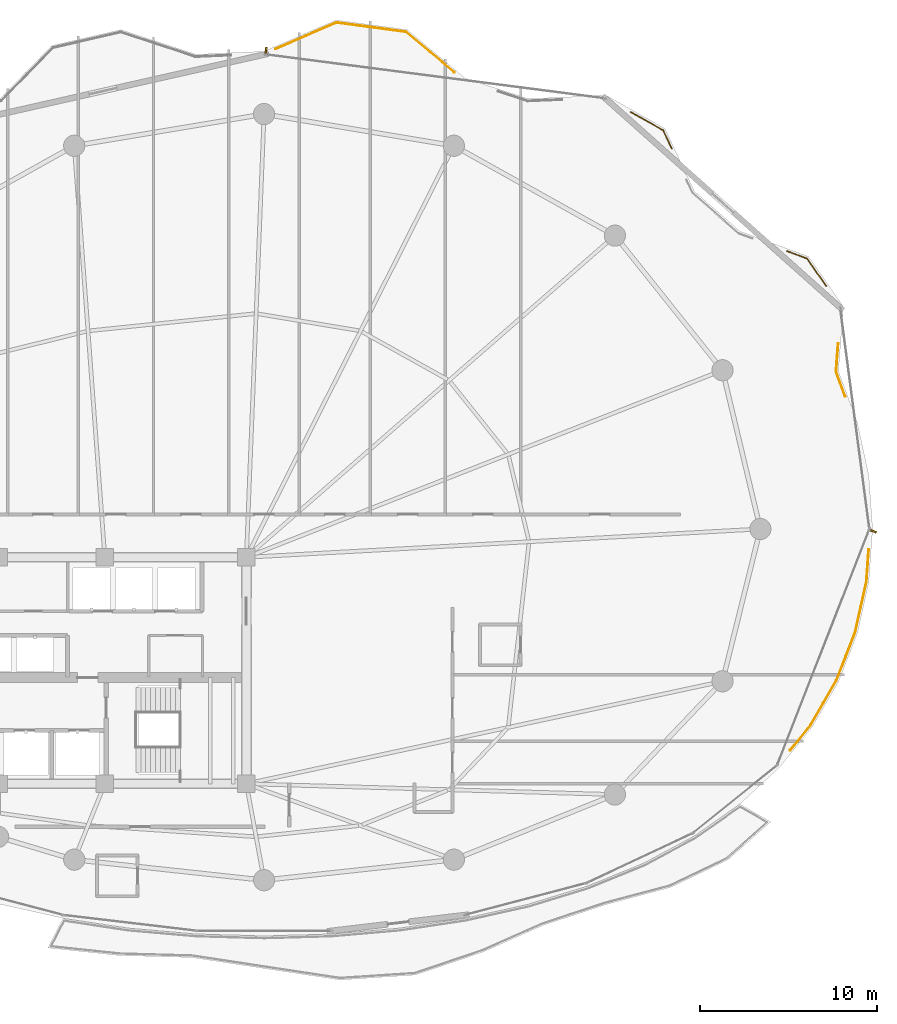
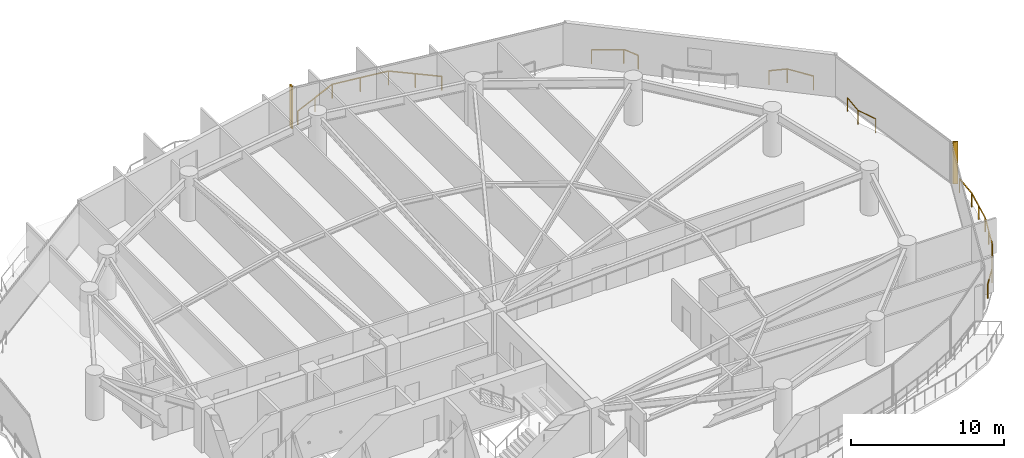
# One storey, part 33 of 33: 5 railings, 2 shading devices.
"""IFC4 building model written with IfcOpenShell, lengths in metres."""

from ifc_helpers import new_model, si_unit, direction, frame, origin, origin_2d, place, context, subcontext, project, spatial, rectangle, extrude, material, type_object, element, save


model = new_model("IFC4")

# Units and contexts
model_context = context("Model", 3, precision=1e-05, world=origin(), true_north=direction((0.0, 1.0)))
body_context = subcontext(model_context, "Body", "Model", "MODEL_VIEW")
ifc_project = project(units=[si_unit("LENGTHUNIT", "METRE"), si_unit("AREAUNIT", "SQUARE_METRE"), si_unit("VOLUMEUNIT", "CUBIC_METRE"), si_unit("PLANEANGLEUNIT", "RADIAN"), si_unit("MASSUNIT", "GRAM", prefix="KILO")], contexts=[model_context])

# Site, building, storey
site_placement = place(None, origin())
site = spatial("IfcSite", under=ifc_project, at=site_placement, CompositionType="ELEMENT")
building_placement = place(site_placement, origin())
building = spatial("IfcBuilding", under=site, at=building_placement, Name="Kazevale Care Tower and Concert Hall", CompositionType="ELEMENT")
storey_placement = place(building_placement, frame((0.0, 0.0, 145.800048828125)))
storey = spatial("IfcBuildingStorey", under=building, at=storey_placement, Name="L38", CompositionType="ELEMENT", Elevation=145.800048828125)

# Railings
ifc_material_1 = material(Name="Anodised Bronze Aluminium and Laminated Glass", Category="aluminium")
railing_type = type_object("IfcRailingType", Name="Balcony and Terrace Balustrade 1120", PredefinedType="BALUSTRADE", material=ifc_material_1)
railing_1_placement = place(storey_placement, frame((45.64404296875, 65.126953125, 0.0)))
element("IfcRailing", 1, at=railing_1_placement, inside=storey, type_object=railing_type, Name="rail:L38:perim:6", PredefinedType="BALUSTRADE", context=body_context, shape_type="SweptSolid", body=[
    extrude(rectangle(XDim=0.048095703125, YDim=0.048095703125, at=origin_2d()), frame((0.0, 0.0, 1.09619140625), z_axis=(0.917187785413, 0.398455224949, 0.0), x_axis=(-0.398455224949, 0.917187785413, 0.0)), (0.0, 0.0, 1.0), 3.757080078125),
    extrude(rectangle(XDim=0.048095703125, YDim=0.048095703125, at=origin_2d()), frame((3.446044921875, 1.4970703125, 1.09619140625), z_axis=(0.990974581197, -0.134049913915, 0.0), x_axis=(0.134049913915, 0.990974581197, 0.0)), (0.0, 0.0, 1.0), 3.975830078125),
    extrude(rectangle(XDim=0.048095703125, YDim=0.048095703125, at=origin_2d()), frame((7.385986328125, 0.964111328125, 1.09619140625), z_axis=(0.766816144639, -0.641866808863, 0.0), x_axis=(0.641866808863, 0.766816144639, 0.0)), (0.0, 0.0, 1.0), 3.53662109375),
    extrude(rectangle(XDim=0.0419921875, YDim=0.0419921875, at=origin_2d()), origin(), (0.0, 0.0, 1.0), 1.072021484375),
    extrude(rectangle(XDim=0.0419921875, YDim=0.0419921875, at=origin_2d()), frame((1.72314453125, 0.74853515625, 0.0)), (0.0, 0.0, 1.0), 1.072021484375),
    extrude(rectangle(XDim=0.0419921875, YDim=0.0419921875, at=origin_2d()), frame((3.446044921875, 1.4970703125, 0.0)), (0.0, 0.0, 1.0), 1.072021484375),
    extrude(rectangle(XDim=0.0419921875, YDim=0.0419921875, at=origin_2d()), frame((5.416015625, 1.23046875, 0.0)), (0.0, 0.0, 1.0), 1.072021484375),
    extrude(rectangle(XDim=0.0419921875, YDim=0.0419921875, at=origin_2d()), frame((7.385986328125, 0.964111328125, 0.0)), (0.0, 0.0, 1.0), 1.072021484375),
    extrude(rectangle(XDim=0.0419921875, YDim=0.0419921875, at=origin_2d()), frame((8.741943359375, -0.1708984375, 0.0)), (0.0, 0.0, 1.0), 1.072021484375),
    extrude(rectangle(XDim=0.0419921875, YDim=0.0419921875, at=origin_2d()), frame((10.097900390625, -1.305908203125, 0.0)), (0.0, 0.0, 1.0), 1.072021484375),
])
railing_2_placement = place(storey_placement, frame((65.718994140625, 61.572021484375, 0.0)))
element("IfcRailing", 2, at=railing_2_placement, inside=storey, type_object=railing_type, Name="rail:L38:perim:8", PredefinedType="BALUSTRADE", context=body_context, shape_type="SweptSolid", body=[
    extrude(rectangle(XDim=0.048095703125, YDim=0.048095703125, at=origin_2d()), frame((0.0, 0.0, 1.09619140625), z_axis=(0.870597317313, -0.491996251092, 0.0), x_axis=(0.491996251092, 0.870597317313, 0.0)), (0.0, 0.0, 1.0), 2.10986328125),
    extrude(rectangle(XDim=0.048095703125, YDim=0.048095703125, at=origin_2d()), frame((1.8369140625, -1.0380859375, 1.09619140625), z_axis=(0.425040298366, -0.905174427812, 0.0), x_axis=(0.905174427812, 0.425040298366, 0.0)), (0.0, 0.0, 1.0), 1.134521484375),
    extrude(rectangle(XDim=0.0419921875, YDim=0.0419921875, at=origin_2d()), origin(), (0.0, 0.0, 1.0), 1.072021484375),
    extrude(rectangle(XDim=0.0419921875, YDim=0.0419921875, at=origin_2d()), frame((1.8369140625, -1.0380859375, 0.0)), (0.0, 0.0, 1.0), 1.072021484375),
    extrude(rectangle(XDim=0.0419921875, YDim=0.0419921875, at=origin_2d()), frame((2.319091796875, -2.06494140625, 0.0)), (0.0, 0.0, 1.0), 1.072021484375),
])
railing_3_placement = place(storey_placement, frame((74.551025390625, 53.7060546875, 0.0)))
element("IfcRailing", 3, at=railing_3_placement, inside=storey, type_object=railing_type, Name="rail:L38:perim:10", PredefinedType="BALUSTRADE", context=body_context, shape_type="SweptSolid", body=[
    extrude(rectangle(XDim=0.048095703125, YDim=0.048095703125, at=origin_2d()), frame((0.0, 0.0, 1.09619140625), z_axis=(0.938095468021, -0.346376807652, 0.0), x_axis=(0.346376807652, 0.938095468021, 0.0)), (0.0, 0.0, 1.0), 1.213134765625),
    extrude(rectangle(XDim=0.048095703125, YDim=0.048095703125, at=origin_2d()), frame((1.137939453125, -0.420166015625, 1.09619140625), z_axis=(0.570141962651, -0.821546190074, 0.0), x_axis=(0.821546190074, 0.570141962651, 0.0)), (0.0, 0.0, 1.0), 1.892578125),
    extrude(rectangle(XDim=0.0419921875, YDim=0.0419921875, at=origin_2d()), origin(), (0.0, 0.0, 1.0), 1.072021484375),
    extrude(rectangle(XDim=0.0419921875, YDim=0.0419921875, at=origin_2d()), frame((1.137939453125, -0.420166015625, 0.0)), (0.0, 0.0, 1.0), 1.072021484375),
    extrude(rectangle(XDim=0.0419921875, YDim=0.0419921875, at=origin_2d()), frame((2.217041015625, -1.97509765625, 0.0)), (0.0, 0.0, 1.0), 1.072021484375),
])
railing_4_placement = place(storey_placement, frame((79.176025390625, 36.844970703125, 0.0)))
element("IfcRailing", 4, at=railing_4_placement, inside=storey, type_object=railing_type, Name="rail:L38:perim:11", PredefinedType="BALUSTRADE", context=body_context, shape_type="SweptSolid", body=[
    extrude(rectangle(XDim=0.048095703125, YDim=0.048095703125, at=origin_2d()), frame((0.0, 0.0, 1.09619140625), z_axis=(-0.071578588161, -0.997434963151, 0.0), x_axis=(0.997434963151, -0.071578588161, 0.0)), (0.0, 0.0, 1.0), 1.83154296875),
    extrude(rectangle(XDim=0.048095703125, YDim=0.048095703125, at=origin_2d()), frame((-0.131103515625, -1.826904296875, 1.09619140625), z_axis=(-0.217745961145, -0.9760054797, 0.0), x_axis=(0.9760054797, -0.217745961145, 0.0)), (0.0, 0.0, 1.0), 2.94775390625),
    extrude(rectangle(XDim=0.048095703125, YDim=0.048095703125, at=origin_2d()), frame((-0.77294921875, -4.703857421875, 1.09619140625), z_axis=(-0.363468066155, -0.931606657815, 0.0), x_axis=(0.931606657815, -0.363468066155, 0.0)), (0.0, 0.0, 1.0), 2.91650390625),
    extrude(rectangle(XDim=0.048095703125, YDim=0.048095703125, at=origin_2d()), frame((-1.8330078125, -7.4208984375, 1.09619140625), z_axis=(-0.502610267332, -0.864513111047, 0.0), x_axis=(0.864513111047, -0.502610267332, 0.0)), (0.0, 0.0, 1.0), 2.9150390625),
    extrude(rectangle(XDim=0.048095703125, YDim=0.048095703125, at=origin_2d()), frame((-3.298095703125, -9.94091796875, 1.09619140625), z_axis=(-0.628318296441, -0.777956373043, 0.0), x_axis=(0.777956373043, -0.628318296441, 0.0)), (0.0, 0.0, 1.0), 1.812744140625),
    extrude(rectangle(XDim=0.0419921875, YDim=0.0419921875, at=origin_2d()), origin(), (0.0, 0.0, 1.0), 1.072021484375),
    extrude(rectangle(XDim=0.0419921875, YDim=0.0419921875, at=origin_2d()), frame((-0.131103515625, -1.826904296875, 0.0)), (0.0, 0.0, 1.0), 1.072021484375),
    extrude(rectangle(XDim=0.0419921875, YDim=0.0419921875, at=origin_2d()), frame((-0.4521484375, -3.265380859375, 0.0)), (0.0, 0.0, 1.0), 1.072021484375),
    extrude(rectangle(XDim=0.0419921875, YDim=0.0419921875, at=origin_2d()), frame((-0.77294921875, -4.703857421875, 0.0)), (0.0, 0.0, 1.0), 1.072021484375),
    extrude(rectangle(XDim=0.0419921875, YDim=0.0419921875, at=origin_2d()), frame((-1.302978515625, -6.0625, 0.0)), (0.0, 0.0, 1.0), 1.072021484375),
    extrude(rectangle(XDim=0.0419921875, YDim=0.0419921875, at=origin_2d()), frame((-1.8330078125, -7.4208984375, 0.0)), (0.0, 0.0, 1.0), 1.072021484375),
    extrude(rectangle(XDim=0.0419921875, YDim=0.0419921875, at=origin_2d()), frame((-2.5654296875, -8.680908203125, 0.0)), (0.0, 0.0, 1.0), 1.072021484375),
    extrude(rectangle(XDim=0.0419921875, YDim=0.0419921875, at=origin_2d()), frame((-3.298095703125, -9.94091796875, 0.0)), (0.0, 0.0, 1.0), 1.072021484375),
    extrude(rectangle(XDim=0.0419921875, YDim=0.0419921875, at=origin_2d()), frame((-4.43701171875, -11.35107421875, 0.0)), (0.0, 0.0, 1.0), 1.072021484375),
])
railing_5_placement = place(storey_placement, frame((77.449951171875, 48.488037109375, 0.0)))
element("IfcRailing", 5, at=railing_5_placement, inside=storey, type_object=railing_type, Name="rail:L38:perim:12", PredefinedType="BALUSTRADE", context=body_context, shape_type="SweptSolid", body=[
    extrude(rectangle(XDim=0.048095703125, YDim=0.048095703125, at=origin_2d()), frame((0.0, 0.0, 1.09619140625), z_axis=(-0.076544309893, -0.997066180664, 0.0), x_axis=(0.997066180664, -0.076544309893, 0.0)), (0.0, 0.0, 1.0), 1.5947265625),
    extrude(rectangle(XDim=0.048095703125, YDim=0.048095703125, at=origin_2d()), frame((-0.1220703125, -1.590087890625, 1.09619140625), z_axis=(0.344520780969, -0.938778691429, 0.0), x_axis=(0.938778691429, 0.344520780969, 0.0)), (0.0, 0.0, 1.0), 1.509521484375),
    extrude(rectangle(XDim=0.0419921875, YDim=0.0419921875, at=origin_2d()), origin(), (0.0, 0.0, 1.0), 1.072021484375),
    extrude(rectangle(XDim=0.0419921875, YDim=0.0419921875, at=origin_2d()), frame((-0.1220703125, -1.590087890625, 0.0)), (0.0, 0.0, 1.0), 1.072021484375),
    extrude(rectangle(XDim=0.0419921875, YDim=0.0419921875, at=origin_2d()), frame((0.39794921875, -3.007080078125, 0.0)), (0.0, 0.0, 1.0), 1.072021484375),
])

# Shading devices
ifc_material_2 = material(Name="Anodised Bronze Aluminium", Category="aluminium")
shading_device_type = type_object("IfcShadingDeviceType", Name="Waist Anodised Bronze-Stone Fin FIN-02", PredefinedType="USERDEFINED", material=ifc_material_2)
for number, where, z_axis, x_axis, name in (
    (6, (79.44384765625, 37.869384765625, 0.0), (0.0, 0.0, 1.0), (0.931373876365, -0.364064146031, 0.0), "cw:L38:f01:fin"),
    (7, (45.109130859375, 65.05615234375, 0.0), (0.0, 0.0, 1.0), (0.12827634114, 0.991738463661, 0.0), "cw:L38:f16:fin"),
):
    element("IfcShadingDevice", number, at=place(storey_placement, frame(where, z_axis=z_axis, x_axis=x_axis)), inside=storey, type_object=shading_device_type, Name=name, ObjectType="FIN", PredefinedType="USERDEFINED", context=body_context, shape_type="SweptSolid", body=[
        extrude(rectangle(XDim=0.340087890625, YDim=0.10009765625, at=origin_2d()), origin(), (0.0, 0.0, 1.0), 3.360107421875),
    ])

save(model, "model.ifc")
